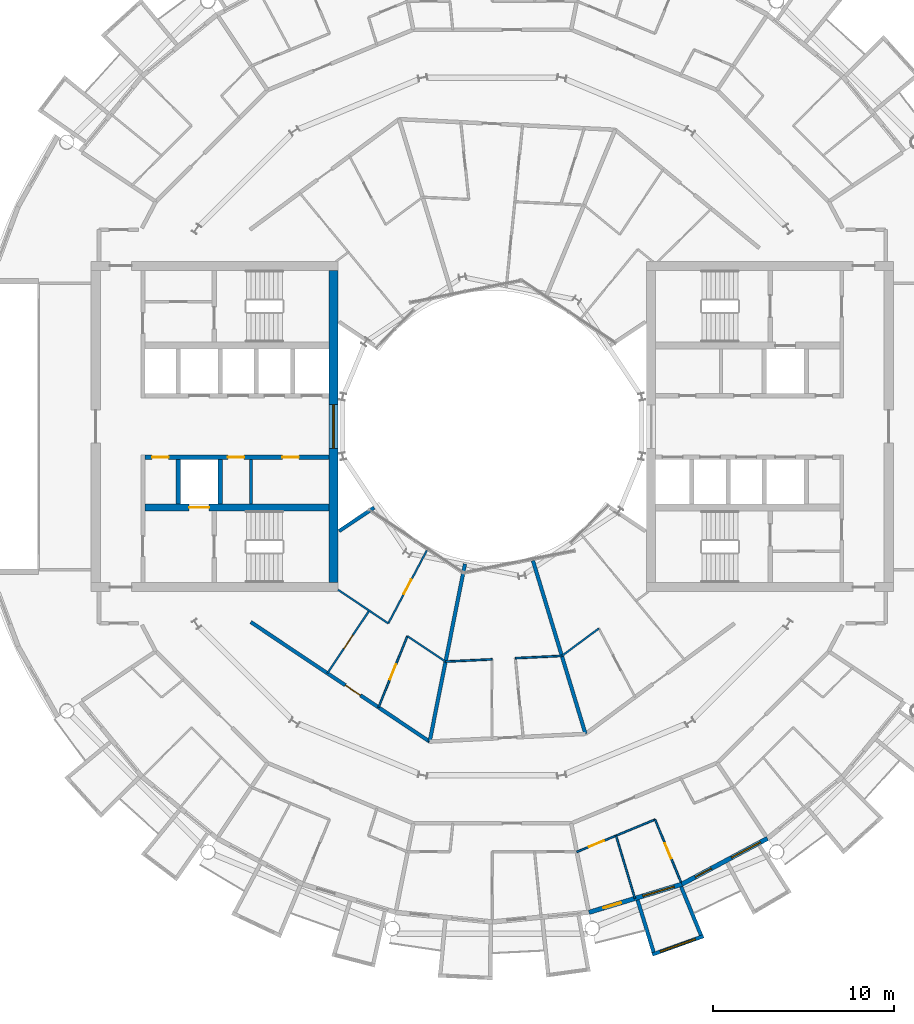
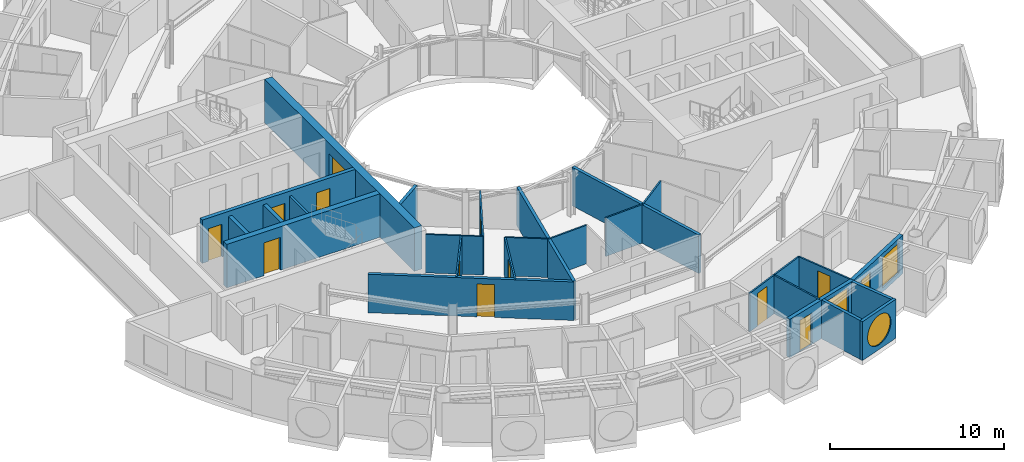
# One storey, part 16 of 27: 26 walls, 12 doors, 4 windows, 16 openings.
"""IFC4 building model written with IfcOpenShell, lengths in metres."""

from ifc_helpers import new_model, si_unit, direction, frame, frame_2d, origin, place, context, subcontext, project, spatial, rectangle, circle, extrude, material, layer, layer_set, type_object, element, fill, save


model = new_model("IFC4")

# Units and contexts
model_context = context("Model", 3, precision=1e-05, world=origin(), true_north=direction((0.0, 1.0)))
body_context = subcontext(model_context, "Body", "Model", "MODEL_VIEW")
ifc_project = project(units=[si_unit("LENGTHUNIT", "METRE"), si_unit("AREAUNIT", "SQUARE_METRE"), si_unit("VOLUMEUNIT", "CUBIC_METRE"), si_unit("PLANEANGLEUNIT", "RADIAN"), si_unit("MASSUNIT", "GRAM", prefix="KILO")], contexts=[model_context])

# Site, building, storey
site_placement = place(None, origin())
site = spatial("IfcSite", under=ifc_project, at=site_placement, CompositionType="ELEMENT")
building_placement = place(site_placement, origin())
building = spatial("IfcBuilding", under=site, at=building_placement, Name="Maasbend Ring Residences", CompositionType="ELEMENT")
storey_placement = place(building_placement, frame((0.0, 0.0, 170.75)))
storey = spatial("IfcBuildingStorey", under=building, at=storey_placement, Name="L49", CompositionType="ELEMENT", Elevation=170.75)

# Wall, openings, doors
ifc_material_1 = material(Name="Concrete C60/75", Category="concrete")
ifc_layer_1 = layer(ifc_material_1, 0.25)
ifc_layer_set_1 = layer_set([ifc_layer_1], Name="Concrete C60/75")
wall_type_1 = type_object("IfcWallType", Name="CORE WALL 250 C60/75", PredefinedType="SHEAR", material=ifc_layer_set_1)
wall_1_placement = place(storey_placement, frame((-9.0, -1.699951171875, 0.0), z_axis=(0.0, 0.0, 1.0), x_axis=(-1.0, 0.0, 0.0)))
wall_1 = element("IfcWall", 1, at=wall_1_placement, inside=storey, type_object=wall_type_1, Name="L49 core W wall SPN", PredefinedType="SHEAR", context=body_context, shape_type="SweptSolid", body=[
    extrude(rectangle(XDim=10.14990234375, YDim=0.25, at=frame_2d((5.074951171875, 0.0))), origin(), (0.0, 0.0, 1.0), 3.050048828125),
])
opening_1_placement = place(wall_1_placement, frame((1.66259765625, 0.0, 0.0)))
opening_1 = element("IfcOpeningElement", 2, at=opening_1_placement, cuts=wall_1, Name="Opening D-W4906", PredefinedType="OPENING", context=body_context, shape_type="SweptSolid", body=[
    extrude(rectangle(XDim=0.89990234375, YDim=2.300048828125, at=frame_2d((0.449951171875, 1.14990234375))), frame((0.0, 0.135009765625, 0.0), z_axis=(0.0, -1.0, 0.0), x_axis=(1.0, 0.0, 0.0)), (0.0, 0.0, 1.0), 0.27001953125),
])
opening_2_placement = place(wall_1_placement, frame((4.675048828125, 0.0, 0.0)))
opening_2 = element("IfcOpeningElement", 3, at=opening_2_placement, cuts=wall_1, Name="Opening D-W4907", PredefinedType="OPENING", context=body_context, shape_type="SweptSolid", body=[
    extrude(rectangle(XDim=0.89990234375, YDim=2.300048828125, at=frame_2d((0.449951171875, 1.14990234375))), frame((0.0, 0.135009765625, 0.0), z_axis=(0.0, -1.0, 0.0), x_axis=(1.0, 0.0, 0.0)), (0.0, 0.0, 1.0), 0.27001953125),
])
opening_3_placement = place(wall_1_placement, frame((8.83740234375, 0.0, 0.0)))
opening_3 = element("IfcOpeningElement", 4, at=opening_3_placement, cuts=wall_1, Name="Opening D-W4908", PredefinedType="OPENING", context=body_context, shape_type="SweptSolid", body=[
    extrude(rectangle(XDim=0.89990234375, YDim=2.300048828125, at=frame_2d((0.449951171875, 1.14990234375))), frame((0.0, 0.135009765625, 0.0), z_axis=(0.0, -1.0, 0.0), x_axis=(1.0, 0.0, 0.0)), (0.0, 0.0, 1.0), 0.27001953125),
])
ifc_material_2 = material(Name="Steel, powder coated", Category="steel")
door_type_1 = type_object("IfcDoorType", Name="ROOM DOOR 900 X 2300 FD30S", OperationType="NOTDEFINED", PredefinedType="DOOR", material=ifc_material_2)
door_1_placement = place(opening_1_placement, origin())
door_1 = element("IfcDoor", 5, at=door_1_placement, inside=storey, type_object=door_type_1, Name="Room door L49", OperationType="SINGLE_SWING_RIGHT", OverallHeight=2.300048828125, OverallWidth=0.89990234375, PredefinedType="DOOR", context=body_context, shape_type="SweptSolid", body=[
    extrude(rectangle(XDim=0.89990234375, YDim=2.300048828125, at=frame_2d((0.449951171875, 1.14990234375))), frame((0.0, 0.02490234375, 0.0), z_axis=(0.0, -1.0, 0.0), x_axis=(1.0, 0.0, 0.0)), (0.0, 0.0, 1.0), 0.050048828125),
])
fill(opening_1, door_1)
door_2_placement = place(opening_2_placement, origin())
door_2 = element("IfcDoor", 6, at=door_2_placement, inside=storey, type_object=door_type_1, Name="Room door L49", OperationType="SINGLE_SWING_LEFT", OverallHeight=2.300048828125, OverallWidth=0.89990234375, PredefinedType="DOOR", context=body_context, shape_type="SweptSolid", body=[
    extrude(rectangle(XDim=0.89990234375, YDim=2.300048828125, at=frame_2d((0.449951171875, 1.14990234375))), frame((0.0, 0.02490234375, 0.0), z_axis=(0.0, -1.0, 0.0), x_axis=(1.0, 0.0, 0.0)), (0.0, 0.0, 1.0), 0.050048828125),
])
fill(opening_2, door_2)
door_3_placement = place(opening_3_placement, origin())
door_3 = element("IfcDoor", 7, at=door_3_placement, inside=storey, type_object=door_type_1, Name="Room door L49", OperationType="SINGLE_SWING_LEFT", OverallHeight=2.300048828125, OverallWidth=0.89990234375, PredefinedType="DOOR", context=body_context, shape_type="SweptSolid", body=[
    extrude(rectangle(XDim=0.89990234375, YDim=2.300048828125, at=frame_2d((0.449951171875, 1.14990234375))), frame((0.0, 0.02490234375, 0.0), z_axis=(0.0, -1.0, 0.0), x_axis=(1.0, 0.0, 0.0)), (0.0, 0.0, 1.0), 0.050048828125),
])
fill(opening_3, door_3)

# Wall, opening, door
ifc_material_3 = material(Name="Concrete C60/75", Category="concrete")
ifc_layer_2 = layer(ifc_material_3, 0.375)
ifc_layer_set_2 = layer_set([ifc_layer_2], Name="Concrete C60/75")
wall_type_2 = type_object("IfcWallType", Name="CORE WALL 375 C60/75", PredefinedType="SHEAR", material=ifc_layer_set_2)
wall_2_placement = place(storey_placement, frame((-9.0, -4.46240234375, 0.0), z_axis=(0.0, 0.0, 1.0), x_axis=(-1.0, 0.0, 0.0)))
wall_2 = element("IfcWall", 8, at=wall_2_placement, inside=storey, type_object=wall_type_2, Name="L49 core W wall BN", PredefinedType="SHEAR", context=body_context, shape_type="SweptSolid", body=[
    extrude(rectangle(XDim=10.14990234375, YDim=0.375, at=frame_2d((5.074951171875, 0.0))), origin(), (0.0, 0.0, 1.0), 3.050048828125),
])
opening_4_placement = place(wall_2_placement, frame((6.60009765625, 0.0, 0.0)))
opening_4 = element("IfcOpeningElement", 9, at=opening_4_placement, cuts=wall_2, Name="Opening LD-W4901", PredefinedType="OPENING", context=body_context, shape_type="SweptSolid", body=[
    extrude(rectangle(XDim=1.10009765625, YDim=2.300048828125, at=frame_2d((0.550048828125, 1.14990234375))), frame((0.0, 0.197509765625, 0.0), z_axis=(0.0, -1.0, 0.0), x_axis=(1.0, 0.0, 0.0)), (0.0, 0.0, 1.0), 0.39501953125),
])
ifc_material_4 = material(Name="Stainless steel 316", Category="steel")
door_type_2 = type_object("IfcDoorType", Name="LANDING DOOR 1100 X 2300 FD60", OperationType="DOUBLE_DOOR_SLIDING", PredefinedType="DOOR", material=ifc_material_4)
door_4_placement = place(opening_4_placement, origin())
door_4 = element("IfcDoor", 10, at=door_4_placement, inside=storey, type_object=door_type_2, Name="Landing door FF-W L49", OperationType="DOUBLE_DOOR_SLIDING", OverallHeight=2.300048828125, OverallWidth=1.10009765625, PredefinedType="DOOR", context=body_context, shape_type="SweptSolid", body=[
    extrude(rectangle(XDim=1.10009765625, YDim=2.300048828125, at=frame_2d((0.550048828125, 1.14990234375))), frame((0.0, 0.02490234375, 0.0), z_axis=(0.0, -1.0, 0.0), x_axis=(1.0, 0.0, 0.0)), (0.0, 0.0, 1.0), 0.050048828125),
])
fill(opening_4, door_4)

# Wall, opening, window
ifc_material_5 = material(Name="Concrete C60/75", Category="concrete")
ifc_layer_3 = layer(ifc_material_5, 0.5)
ifc_layer_set_3 = layer_set([ifc_layer_3], Name="Concrete C60/75")
wall_type_3 = type_object("IfcWallType", Name="CORE WALL 500 C60/75", PredefinedType="SHEAR", material=ifc_layer_set_3)
wall_3_placement = place(storey_placement, frame((-8.75, 8.60009765625, 0.0), z_axis=(0.0, 0.0, 1.0), x_axis=(0.0, -1.0, 0.0)))
wall_3 = element("IfcWall", 11, at=wall_3_placement, inside=storey, type_object=wall_type_3, Name="L49 core W wall PIN", PredefinedType="SHEAR", context=body_context, shape_type="SweptSolid", body=[
    extrude(rectangle(XDim=17.2001953125, YDim=0.5, at=frame_2d((8.60009765625, 0.0))), origin(), (0.0, 0.0, 1.0), 3.050048828125),
])
opening_5_placement = place(wall_3_placement, frame((7.39990234375, 0.0, 0.10009765625)))
opening_5 = element("IfcOpeningElement", 12, at=opening_5_placement, cuts=wall_3, Name="Opening W-W4901", PredefinedType="OPENING", context=body_context, shape_type="SweptSolid", body=[
    extrude(rectangle(XDim=2.39990234375, YDim=2.199951171875, at=frame_2d((1.199951171875, 1.10009765625))), frame((0.0, 0.260009765625, 0.0), z_axis=(0.0, -1.0, 0.0), x_axis=(1.0, 0.0, 0.0)), (0.0, 0.0, 1.0), 0.52001953125),
])
ifc_material_6 = material(Name="Aluminium frame and clear glass", Category="aluminium")
window_type_1 = type_object("IfcWindowType", Name="FIXED WINDOW 2400 X 2200", PartitioningType="SINGLE_PANEL", PredefinedType="WINDOW", material=ifc_material_6)
window_1_placement = place(opening_5_placement, origin())
window_1 = element("IfcWindow", 13, at=window_1_placement, inside=storey, type_object=window_type_1, Name="Lobby window L49", OverallHeight=2.199951171875, OverallWidth=2.39990234375, PartitioningType="SINGLE_PANEL", PredefinedType="WINDOW", context=body_context, shape_type="SweptSolid", body=[
    extrude(rectangle(XDim=2.39990234375, YDim=2.199951171875, at=frame_2d((1.199951171875, 1.10009765625))), frame((0.0, 0.030029296875, 0.0), z_axis=(0.0, -1.0, 0.0), x_axis=(1.0, 0.0, 0.0)), (0.0, 0.0, 1.0), 0.06005859375),
])
fill(opening_5, window_1)

# Wall, opening, door
ifc_material_7 = material(Name="Concrete C30/37", Category="concrete")
ifc_layer_4 = layer(ifc_material_7, 0.199951171875)
ifc_layer_set_4 = layer_set([ifc_layer_4], Name="Concrete C30/37")
wall_type_4 = type_object("IfcWallType", Name="CORRIDOR WALL 200 CONCRETE", PredefinedType="PARTITIONING", material=ifc_layer_set_4)
wall_4_placement = place(storey_placement, frame((-13.30908203125, -10.77490234375, 0.0), z_axis=(0.0, 0.0, 1.0), x_axis=(0.831501812692, -0.555522038708, 0.0)))
wall_4 = element("IfcWall", 14, at=wall_4_placement, inside=storey, type_object=wall_type_4, Name="U-L49-w022", PredefinedType="PARTITIONING", context=body_context, shape_type="SweptSolid", body=[
    extrude(rectangle(XDim=11.85595703125, YDim=0.199951171875, at=frame_2d((5.927978515625, 0.0))), origin(), (0.0, 0.0, 1.0), 2.699951171875),
])
opening_6_placement = place(wall_4_placement, frame((6.27197265625, 0.0, 0.0)))
opening_6 = element("IfcOpeningElement", 15, at=opening_6_placement, cuts=wall_4, Name="Opening D-4954", PredefinedType="OPENING", context=body_context, shape_type="SweptSolid", body=[
    extrude(rectangle(XDim=1.0, YDim=2.300048828125, at=frame_2d((0.5, 1.14990234375))), frame((0.0, 0.10986328125, 0.0), z_axis=(0.0, -1.0, 0.0), x_axis=(1.0, 0.0, 0.0)), (0.0, 0.0, 1.0), 0.219970703125),
])
ifc_material_8 = material(Name="Timber, fire-rated, painted", Category="wood")
door_type_3 = type_object("IfcDoorType", Name="FLAT ENTRANCE DOOR 1000 X 2300 FIRE-RATED", OperationType="NOTDEFINED", PredefinedType="DOOR", material=ifc_material_8)
door_5_placement = place(opening_6_placement, origin())
door_5 = element("IfcDoor", 16, at=door_5_placement, inside=storey, type_object=door_type_3, Name="D-4954", OperationType="SINGLE_SWING_RIGHT", OverallHeight=2.300048828125, OverallWidth=1.0, PredefinedType="DOOR", context=body_context, shape_type="SweptSolid", body=[
    extrude(rectangle(XDim=1.0, YDim=2.300048828125, at=frame_2d((0.5, 1.14990234375))), frame((0.0, 0.02490234375, 0.0), z_axis=(0.0, -1.0, 0.0), x_axis=(1.0, 0.0, 0.0)), (0.0, 0.0, 1.0), 0.050048828125),
])
fill(opening_6, door_5)

# Wall, opening, window
ifc_material_9 = material(Name="Pale anodised aluminium panel", Category="aluminium")
ifc_layer_5 = layer(ifc_material_9, 0.199951171875)
ifc_layer_set_5 = layer_set([ifc_layer_5], Name="EW-BOX")
wall_type_5 = type_object("IfcWallType", Name="EW-BOX", PredefinedType="SOLIDWALL", material=ifc_layer_set_5)
wall_5_placement = place(storey_placement, frame((8.820068359375, -29.093017578125, -0.030029296875), z_axis=(0.0, 0.0, 1.0), x_axis=(0.941461077774, 0.337121697664, 0.0)))
wall_5 = element("IfcWall", 17, at=wall_5_placement, inside=storey, type_object=wall_type_5, Name="Box front S14", PredefinedType="SOLIDWALL", context=body_context, shape_type="SweptSolid", body=[
    extrude(rectangle(XDim=2.9931640625, YDim=0.199951171875, at=frame_2d((1.49658203125, 0.0))), origin(), (0.0, 0.0, 1.0), 2.72998046875),
])
opening_7_placement = place(wall_5_placement, frame((0.45654296875, 0.0, 0.330078125)))
opening_7 = element("IfcOpeningElement", 18, at=opening_7_placement, cuts=wall_5, Name="Opening W-RD", PredefinedType="OPENING", context=body_context, shape_type="SweptSolid", body=[
    extrude(circle(Radius=1.0400390625, at=frame_2d((1.0400390625, 1.0400390625))), frame((0.0, 0.10986328125, 0.0), z_axis=(0.0, -1.0, 0.0), x_axis=(1.0, 0.0, 0.0)), (0.0, 0.0, 1.0), 0.219970703125),
])
ifc_material_10 = material(Name="Aluminium and clear glass", Category="aluminium")
window_type_2 = type_object("IfcWindowType", Name="W-RD", PartitioningType="SINGLE_PANEL", PredefinedType="WINDOW", material=ifc_material_10)
window_2_placement = place(opening_7_placement, origin())
window_2 = element("IfcWindow", 19, at=window_2_placement, inside=storey, type_object=window_type_2, Name="Round window S14", OverallHeight=2.080078125, OverallWidth=2.080078125, PartitioningType="SINGLE_PANEL", PredefinedType="WINDOW", context=body_context, shape_type="SweptSolid", body=[
    extrude(circle(Radius=1.0400390625, at=frame_2d((1.0400390625, 1.0400390625))), frame((0.0, 0.030029296875, 0.0), z_axis=(0.0, -1.0, 0.0), x_axis=(1.0, 0.0, 0.0)), (0.0, 0.0, 1.0), 0.06005859375),
])
fill(opening_7, window_2)

# Walls
wall_6_placement = place(storey_placement, frame((8.009033203125, -26.092041015625, -0.030029296875), z_axis=(0.0, 0.0, 1.0), x_axis=(0.293406695073, -0.955987715029, 0.0)))
element("IfcWall", 20, at=wall_6_placement, inside=storey, type_object=wall_type_5, Name="Box side wall S14 left", PredefinedType="SOLIDWALL", context=body_context, shape_type="SweptSolid", body=[
    extrude(rectangle(XDim=3.00634765625, YDim=0.199951171875, at=frame_2d((1.503173828125, 0.0))), origin(), (0.0, 0.0, 1.0), 2.72998046875),
])
wall_7_placement = place(storey_placement, frame((10.408935546875, -25.364013671875, -0.030029296875), z_axis=(0.0, 0.0, 1.0), x_axis=(0.379509886562, -0.925187681501, 0.0)))
element("IfcWall", 21, at=wall_7_placement, inside=storey, type_object=wall_type_5, Name="Box side wall S14 right", PredefinedType="SOLIDWALL", context=body_context, shape_type="SweptSolid", body=[
    extrude(rectangle(XDim=2.882568359375, YDim=0.199951171875, at=frame_2d((1.44140625, 0.0))), origin(), (0.0, 0.0, 1.0), 2.72998046875),
])

# Wall, openings, door, window
ifc_material_11 = material(Name="Aluminium clad insulated panel", Category="aluminium")
ifc_layer_6 = layer(ifc_material_11, 0.25)
ifc_layer_set_6 = layer_set([ifc_layer_6], Name="EW-GL")
wall_type_6 = type_object("IfcWallType", Name="EW-GL", PredefinedType="SOLIDWALL", material=ifc_layer_set_6)
wall_8_placement = place(storey_placement, frame((5.325927734375, -26.77490234375, 0.0), z_axis=(0.0, 0.0, 1.0), x_axis=(0.956965678721, 0.290201119486, 0.0)))
wall_8 = element("IfcWall", 22, at=wall_8_placement, inside=storey, type_object=wall_type_6, Name="External wall S07", PredefinedType="SOLIDWALL", context=body_context, shape_type="SweptSolid", body=[
    extrude(rectangle(XDim=5.351318359375, YDim=0.25, at=frame_2d((2.67578125, 0.0))), origin(), (0.0, 0.0, 1.0), 2.699951171875),
])
opening_8_placement = place(wall_8_placement, frame((0.841064453125, 0.0, 0.0)))
opening_8 = element("IfcOpeningElement", 23, at=opening_8_placement, cuts=wall_8, Name="Opening D-LG", PredefinedType="OPENING", context=body_context, shape_type="SweptSolid", body=[
    extrude(rectangle(XDim=1.0, YDim=2.199951171875, at=frame_2d((0.5, 1.10009765625))), frame((0.0, 0.135009765625, 0.0), z_axis=(0.0, -1.0, 0.0), x_axis=(1.0, 0.0, 0.0)), (0.0, 0.0, 1.0), 0.27001953125),
])
opening_9_placement = place(wall_8_placement, frame((3.110595703125, 0.0, 0.300048828125)))
opening_9 = element("IfcOpeningElement", 24, at=opening_9_placement, cuts=wall_8, Name="Opening W-BX", PredefinedType="OPENING", context=body_context, shape_type="SweptSolid", body=[
    extrude(rectangle(XDim=1.800048828125, YDim=2.10009765625, at=frame_2d((0.89990234375, 1.050048828125))), frame((0.0, 0.135009765625, 0.0), z_axis=(0.0, -1.0, 0.0), x_axis=(1.0, 0.0, 0.0)), (0.0, 0.0, 1.0), 0.27001953125),
])
ifc_material_12 = material(Name="Aluminium and clear glass", Category="aluminium")
door_type_4 = type_object("IfcDoorType", Name="D-LG", OperationType="SINGLE_SWING_LEFT", PredefinedType="DOOR", material=ifc_material_12)
door_6_placement = place(opening_8_placement, origin())
door_6 = element("IfcDoor", 25, at=door_6_placement, inside=storey, type_object=door_type_4, Name="Loggia door S13", OperationType="SINGLE_SWING_LEFT", OverallHeight=2.199951171875, OverallWidth=1.0, PredefinedType="DOOR", context=body_context, shape_type="SweptSolid", body=[
    extrude(rectangle(XDim=1.0, YDim=2.199951171875, at=frame_2d((0.5, 1.10009765625))), frame((0.0, 0.02490234375, 0.0), z_axis=(0.0, -1.0, 0.0), x_axis=(1.0, 0.0, 0.0)), (0.0, 0.0, 1.0), 0.050048828125),
])
fill(opening_8, door_6)
ifc_material_13 = material(Name="Aluminium and clear glass", Category="aluminium")
window_type_3 = type_object("IfcWindowType", Name="W-BX", PartitioningType="DOUBLE_PANEL_VERTICAL", PredefinedType="WINDOW", material=ifc_material_13)
window_3_placement = place(opening_9_placement, origin())
window_3 = element("IfcWindow", 26, at=window_3_placement, inside=storey, type_object=window_type_3, Name="Window S14 room to box", OverallHeight=2.10009765625, OverallWidth=1.800048828125, PartitioningType="SINGLE_PANEL", PredefinedType="WINDOW", context=body_context, shape_type="SweptSolid", body=[
    extrude(rectangle(XDim=1.800048828125, YDim=2.10009765625, at=frame_2d((0.89990234375, 1.050048828125))), frame((0.0, 0.030029296875, 0.0), z_axis=(0.0, -1.0, 0.0), x_axis=(1.0, 0.0, 0.0)), (0.0, 0.0, 1.0), 0.06005859375),
])
fill(opening_9, window_3)

wall_9_placement = place(storey_placement, frame((10.447021484375, -25.221923828125, 0.0), z_axis=(0.0, 0.0, 1.0), x_axis=(0.881915646801, 0.471407246368, 0.0)))
wall_9 = element("IfcWall", 27, at=wall_9_placement, inside=storey, type_object=wall_type_6, Name="External wall S08", PredefinedType="SOLIDWALL", context=body_context, shape_type="SweptSolid", body=[
    extrude(rectangle(XDim=5.35205078125, YDim=0.25, at=frame_2d((2.676025390625, 0.0))), origin(), (0.0, 0.0, 1.0), 2.699951171875),
])
opening_10_placement = place(wall_9_placement, frame((0.841064453125, 0.0, 0.0)))
opening_10 = element("IfcOpeningElement", 28, at=opening_10_placement, cuts=wall_9, Name="Opening D-LG", PredefinedType="OPENING", context=body_context, shape_type="SweptSolid", body=[
    extrude(rectangle(XDim=1.0, YDim=2.199951171875, at=frame_2d((0.5, 1.10009765625))), frame((0.0, 0.135009765625, 0.0), z_axis=(0.0, -1.0, 0.0), x_axis=(1.0, 0.0, 0.0)), (0.0, 0.0, 1.0), 0.27001953125),
])
opening_11_placement = place(wall_9_placement, frame((3.110595703125, 0.0, 0.300048828125)))
opening_11 = element("IfcOpeningElement", 29, at=opening_11_placement, cuts=wall_9, Name="Opening W-BX", PredefinedType="OPENING", context=body_context, shape_type="SweptSolid", body=[
    extrude(rectangle(XDim=1.800048828125, YDim=2.10009765625, at=frame_2d((0.89990234375, 1.050048828125))), frame((0.0, 0.135009765625, 0.0), z_axis=(0.0, -1.0, 0.0), x_axis=(1.0, 0.0, 0.0)), (0.0, 0.0, 1.0), 0.27001953125),
])
door_7_placement = place(opening_10_placement, origin())
door_7 = element("IfcDoor", 30, at=door_7_placement, inside=storey, type_object=door_type_4, Name="Loggia door S15", OperationType="SINGLE_SWING_LEFT", OverallHeight=2.199951171875, OverallWidth=1.0, PredefinedType="DOOR", context=body_context, shape_type="SweptSolid", body=[
    extrude(rectangle(XDim=1.0, YDim=2.199951171875, at=frame_2d((0.5, 1.10009765625))), frame((0.0, 0.02490234375, 0.0), z_axis=(0.0, -1.0, 0.0), x_axis=(1.0, 0.0, 0.0)), (0.0, 0.0, 1.0), 0.050048828125),
])
fill(opening_10, door_7)
window_4_placement = place(opening_11_placement, origin())
window_4 = element("IfcWindow", 31, at=window_4_placement, inside=storey, type_object=window_type_3, Name="Window S16 room to box", OverallHeight=2.10009765625, OverallWidth=1.800048828125, PartitioningType="SINGLE_PANEL", PredefinedType="WINDOW", context=body_context, shape_type="SweptSolid", body=[
    extrude(rectangle(XDim=1.800048828125, YDim=2.10009765625, at=frame_2d((0.89990234375, 1.050048828125))), frame((0.0, 0.030029296875, 0.0), z_axis=(0.0, -1.0, 0.0), x_axis=(1.0, 0.0, 0.0)), (0.0, 0.0, 1.0), 0.06005859375),
])
fill(opening_11, window_4)

# Wall, opening, door
ifc_material_14 = material(Name="Gypsum board on steel studs", Category="steel")
ifc_layer_7 = layer(ifc_material_14, 0.10009765625)
ifc_layer_set_7 = layer_set([ifc_layer_7], Name="PARTITION 100 GYPSUM")
wall_type_7 = type_object("IfcWallType", Name="PARTITION 100 GYPSUM", PredefinedType="PARTITIONING", material=ifc_layer_set_7)
wall_10_placement = place(storey_placement, frame((4.656005859375, -23.44189453125, 0.0), z_axis=(0.0, 0.0, 1.0), x_axis=(0.923994503548, 0.382405749712, 0.0)))
wall_10 = element("IfcWall", 32, at=wall_10_placement, inside=storey, type_object=wall_type_7, Name="U-L49-w007", PredefinedType="PARTITIONING", context=body_context, shape_type="SweptSolid", body=[
    extrude(rectangle(XDim=4.66259765625, YDim=0.10009765625, at=frame_2d((2.331298828125, 0.0))), origin(), (0.0, 0.0, 1.0), 2.699951171875),
])
opening_12_placement = place(wall_10_placement, frame((0.72607421875, 0.0, 0.0)))
opening_12 = element("IfcOpeningElement", 33, at=opening_12_placement, cuts=wall_10, Name="Opening D-4949", PredefinedType="OPENING", context=body_context, shape_type="SweptSolid", body=[
    extrude(rectangle(XDim=0.89990234375, YDim=2.300048828125, at=frame_2d((0.449951171875, 1.14990234375))), frame((0.0, 0.06005859375, 0.0), z_axis=(0.0, -1.0, 0.0), x_axis=(1.0, 0.0, 0.0)), (0.0, 0.0, 1.0), 0.1201171875),
])
ifc_material_15 = material(Name="Timber, painted", Category="wood")
door_type_5 = type_object("IfcDoorType", Name="INTERNAL DOOR 900 X 2300", OperationType="NOTDEFINED", PredefinedType="DOOR", material=ifc_material_15)
door_8_placement = place(opening_12_placement, origin())
door_8 = element("IfcDoor", 34, at=door_8_placement, inside=storey, type_object=door_type_5, Name="D-4949", OperationType="SINGLE_SWING_LEFT", OverallHeight=2.300048828125, OverallWidth=0.89990234375, PredefinedType="DOOR", context=body_context, shape_type="SweptSolid", body=[
    extrude(rectangle(XDim=0.89990234375, YDim=2.300048828125, at=frame_2d((0.449951171875, 1.14990234375))), frame((0.0, 0.02490234375, 0.0), z_axis=(0.0, -1.0, 0.0), x_axis=(1.0, 0.0, 0.0)), (0.0, 0.0, 1.0), 0.050048828125),
])
fill(opening_12, door_8)

# Walls
wall_11_placement = place(storey_placement, frame((-2.576904296875, -12.955078125, 0.0), z_axis=(0.0, 0.0, 1.0), x_axis=(0.998796046378, 0.049055659616, 0.0)))
element("IfcWall", 35, at=wall_11_placement, inside=storey, type_object=wall_type_7, Name="U-L49-w023", PredefinedType="PARTITIONING", context=body_context, shape_type="SweptSolid", body=[
    extrude(rectangle(XDim=2.568115234375, YDim=0.10009765625, at=frame_2d((1.2841796875, 0.0))), origin(), (0.0, 0.0, 1.0), 2.699951171875),
])
wall_12_placement = place(storey_placement, frame((1.27001953125, -12.76611328125, 0.0), z_axis=(0.0, 0.0, 1.0), x_axis=(0.998790464653, 0.049169174464, 0.0)))
element("IfcWall", 36, at=wall_12_placement, inside=storey, type_object=wall_type_7, Name="U-L49-w024", PredefinedType="PARTITIONING", context=body_context, shape_type="SweptSolid", body=[
    extrude(rectangle(XDim=2.567138671875, YDim=0.10009765625, at=frame_2d((1.28369140625, 0.0))), origin(), (0.0, 0.0, 1.0), 2.699951171875),
])
wall_13_placement = place(storey_placement, frame((3.8349609375, -12.639892578125, 0.0), z_axis=(0.0, 0.0, 1.0), x_axis=(0.803259509791, 0.595629213463, 0.0)))
element("IfcWall", 37, at=wall_13_placement, inside=storey, type_object=wall_type_7, Name="U-L49-w025", PredefinedType="PARTITIONING", context=body_context, shape_type="SweptSolid", body=[
    extrude(rectangle(XDim=2.54345703125, YDim=0.10009765625, at=frame_2d((1.271728515625, 0.0))), origin(), (0.0, 0.0, 1.0), 2.699951171875),
])
wall_14_placement = place(storey_placement, frame((-8.5, -8.998046875, 0.0), z_axis=(0.0, 0.0, 1.0), x_axis=(0.831531456502, -0.55547766548, 0.0)))
element("IfcWall", 38, at=wall_14_placement, inside=storey, type_object=wall_type_7, Name="U-L49-w027", PredefinedType="PARTITIONING", context=body_context, shape_type="SweptSolid", body=[
    extrude(rectangle(XDim=3.33251953125, YDim=0.10009765625, at=frame_2d((1.666259765625, 0.0))), origin(), (0.0, 0.0, 1.0), 2.699951171875),
])
wall_15_placement = place(storey_placement, frame((-4.677001953125, -11.552001953125, 0.0), z_axis=(0.0, 0.0, 1.0), x_axis=(0.83155963659, -0.555435478517, 0.0)))
element("IfcWall", 39, at=wall_15_placement, inside=storey, type_object=wall_type_7, Name="U-L49-w028", PredefinedType="PARTITIONING", context=body_context, shape_type="SweptSolid", body=[
    extrude(rectangle(XDim=2.52783203125, YDim=0.10009765625, at=frame_2d((1.263916015625, 0.0))), origin(), (0.0, 0.0, 1.0), 2.699951171875),
])

# Wall, opening, door
wall_16_placement = place(storey_placement, frame((-9.0849609375, -13.596923828125, 0.0), z_axis=(0.0, 0.0, 1.0), x_axis=(0.555528237031, 0.831497671591, 0.0)))
wall_16 = element("IfcWall", 40, at=wall_16_placement, inside=storey, type_object=wall_type_7, Name="U-L49-w050", PredefinedType="PARTITIONING", context=body_context, shape_type="SweptSolid", body=[
    extrude(rectangle(XDim=4.149169921875, YDim=0.10009765625, at=frame_2d((2.07470703125, 0.0))), origin(), (0.0, 0.0, 1.0), 2.699951171875),
])
opening_13_placement = place(wall_16_placement, frame((1.625, 0.0, 0.0)))
opening_13 = element("IfcOpeningElement", 41, at=opening_13_placement, cuts=wall_16, Name="Opening D-4956", PredefinedType="OPENING", context=body_context, shape_type="SweptSolid", body=[
    extrude(rectangle(XDim=0.89990234375, YDim=2.300048828125, at=frame_2d((0.449951171875, 1.14990234375))), frame((0.0, 0.06005859375, 0.0), z_axis=(0.0, -1.0, 0.0), x_axis=(1.0, 0.0, 0.0)), (0.0, 0.0, 1.0), 0.1201171875),
])
door_9_placement = place(opening_13_placement, origin())
door_9 = element("IfcDoor", 42, at=door_9_placement, inside=storey, type_object=door_type_5, Name="D-4956", OperationType="SINGLE_SWING_LEFT", OverallHeight=2.300048828125, OverallWidth=0.89990234375, PredefinedType="DOOR", context=body_context, shape_type="SweptSolid", body=[
    extrude(rectangle(XDim=0.89990234375, YDim=2.300048828125, at=frame_2d((0.449951171875, 1.14990234375))), frame((0.0, 0.02490234375, 0.0), z_axis=(0.0, -1.0, 0.0), x_axis=(1.0, 0.0, 0.0)), (0.0, 0.0, 1.0), 0.050048828125),
])
fill(opening_13, door_9)

wall_17_placement = place(storey_placement, frame((-6.26904296875, -15.47802734375, 0.0), z_axis=(0.0, 0.0, 1.0), x_axis=(0.375509828455, 0.926818411952, 0.0)))
wall_17 = element("IfcWall", 43, at=wall_17_placement, inside=storey, type_object=wall_type_7, Name="U-L49-w053", PredefinedType="PARTITIONING", context=body_context, shape_type="SweptSolid", body=[
    extrude(rectangle(XDim=4.237060546875, YDim=0.10009765625, at=frame_2d((2.11865234375, 0.0))), origin(), (0.0, 0.0, 1.0), 2.699951171875),
])
opening_14_placement = place(wall_17_placement, frame((1.6689453125, 0.0, 0.0)))
opening_14 = element("IfcOpeningElement", 44, at=opening_14_placement, cuts=wall_17, Name="Opening D-4955", PredefinedType="OPENING", context=body_context, shape_type="SweptSolid", body=[
    extrude(rectangle(XDim=0.89990234375, YDim=2.300048828125, at=frame_2d((0.449951171875, 1.14990234375))), frame((0.0, 0.06005859375, 0.0), z_axis=(0.0, -1.0, 0.0), x_axis=(1.0, 0.0, 0.0)), (0.0, 0.0, 1.0), 0.1201171875),
])
door_10_placement = place(opening_14_placement, origin())
door_10 = element("IfcDoor", 45, at=door_10_placement, inside=storey, type_object=door_type_5, Name="D-4955", OperationType="SINGLE_SWING_LEFT", OverallHeight=2.300048828125, OverallWidth=0.89990234375, PredefinedType="DOOR", context=body_context, shape_type="SweptSolid", body=[
    extrude(rectangle(XDim=0.89990234375, YDim=2.300048828125, at=frame_2d((0.449951171875, 1.14990234375))), frame((0.0, 0.02490234375, 0.0), z_axis=(0.0, -1.0, 0.0), x_axis=(1.0, 0.0, 0.0)), (0.0, 0.0, 1.0), 0.050048828125),
])
fill(opening_14, door_10)

wall_18_placement = place(storey_placement, frame((-5.72900390625, -10.84912109375, 0.0), z_axis=(0.0, 0.0, 1.0), x_axis=(0.466962677975, 0.884277025246, 0.0)))
wall_18 = element("IfcWall", 46, at=wall_18_placement, inside=storey, type_object=wall_type_7, Name="U-L49-w054", PredefinedType="PARTITIONING", context=body_context, shape_type="SweptSolid", body=[
    extrude(rectangle(XDim=4.548583984375, YDim=0.10009765625, at=frame_2d((2.2744140625, 0.0))), origin(), (0.0, 0.0, 1.0), 2.699951171875),
])
opening_15_placement = place(wall_18_placement, frame((1.823974609375, 0.0, 0.0)))
opening_15 = element("IfcOpeningElement", 47, at=opening_15_placement, cuts=wall_18, Name="Opening D-4957", PredefinedType="OPENING", context=body_context, shape_type="SweptSolid", body=[
    extrude(rectangle(XDim=0.89990234375, YDim=2.300048828125, at=frame_2d((0.449951171875, 1.14990234375))), frame((0.0, 0.06005859375, 0.0), z_axis=(0.0, -1.0, 0.0), x_axis=(1.0, 0.0, 0.0)), (0.0, 0.0, 1.0), 0.1201171875),
])
door_11_placement = place(opening_15_placement, origin())
door_11 = element("IfcDoor", 48, at=door_11_placement, inside=storey, type_object=door_type_5, Name="D-4957", OperationType="SINGLE_SWING_RIGHT", OverallHeight=2.300048828125, OverallWidth=0.89990234375, PredefinedType="DOOR", context=body_context, shape_type="SweptSolid", body=[
    extrude(rectangle(XDim=0.89990234375, YDim=2.300048828125, at=frame_2d((0.449951171875, 1.14990234375))), frame((0.0, 0.02490234375, 0.0), z_axis=(0.0, -1.0, 0.0), x_axis=(1.0, 0.0, 0.0)), (0.0, 0.0, 1.0), 0.050048828125),
])
fill(opening_15, door_11)

# Wall
wall_19_placement = place(storey_placement, frame((6.81689453125, -22.549072265625, 0.0), z_axis=(0.0, 0.0, 1.0), x_axis=(0.289439829793, -0.957196210256, 0.0)))
element("IfcWall", 49, at=wall_19_placement, inside=storey, type_object=wall_type_7, Name="U-L49-w077", PredefinedType="PARTITIONING", context=body_context, shape_type="SweptSolid", body=[
    extrude(rectangle(XDim=3.61767578125, YDim=0.10009765625, at=frame_2d((1.808837890625, 0.0))), origin(), (0.0, 0.0, 1.0), 2.699951171875),
])

# Wall, opening, door
wall_20_placement = place(storey_placement, frame((8.969970703125, -21.656005859375, 0.0), z_axis=(0.0, 0.0, 1.0), x_axis=(0.382669377748, -0.923885353999, 0.0)))
wall_20 = element("IfcWall", 50, at=wall_20_placement, inside=storey, type_object=wall_type_7, Name="U-L49-w080", PredefinedType="PARTITIONING", context=body_context, shape_type="SweptSolid", body=[
    extrude(rectangle(XDim=3.734130859375, YDim=0.10009765625, at=frame_2d((1.8671875, 0.0))), origin(), (0.0, 0.0, 1.0), 2.699951171875),
])
opening_16_placement = place(wall_20_placement, frame((1.4169921875, 0.0, 0.0)))
opening_16 = element("IfcOpeningElement", 51, at=opening_16_placement, cuts=wall_20, Name="Opening D-4948", PredefinedType="OPENING", context=body_context, shape_type="SweptSolid", body=[
    extrude(rectangle(XDim=0.89990234375, YDim=2.300048828125, at=frame_2d((0.449951171875, 1.14990234375))), frame((0.0, 0.06005859375, 0.0), z_axis=(0.0, -1.0, 0.0), x_axis=(1.0, 0.0, 0.0)), (0.0, 0.0, 1.0), 0.1201171875),
])
door_12_placement = place(opening_16_placement, origin())
door_12 = element("IfcDoor", 52, at=door_12_placement, inside=storey, type_object=door_type_5, Name="D-4948", OperationType="SINGLE_SWING_RIGHT", OverallHeight=2.300048828125, OverallWidth=0.89990234375, PredefinedType="DOOR", context=body_context, shape_type="SweptSolid", body=[
    extrude(rectangle(XDim=0.89990234375, YDim=2.300048828125, at=frame_2d((0.449951171875, 1.14990234375))), frame((0.0, 0.02490234375, 0.0), z_axis=(0.0, -1.0, 0.0), x_axis=(1.0, 0.0, 0.0)), (0.0, 0.0, 1.0), 0.050048828125),
])
fill(opening_16, door_12)

# Walls
ifc_material_16 = material(Name="Gypsum board on steel studs", Category="steel")
ifc_layer_8 = layer(ifc_material_16, 0.14990234375)
ifc_layer_set_8 = layer_set([ifc_layer_8], Name="PARTITION 150 EI 60")
wall_type_8 = type_object("IfcWallType", Name="PARTITION 150 EI 60", PredefinedType="PARTITIONING", material=ifc_layer_set_8)
wall_21_placement = place(storey_placement, frame((-13.300048828125, -1.824951171875, 0.0), z_axis=(0.0, 0.0, 1.0), x_axis=(0.0, -1.0, 0.0)))
element("IfcWall", 53, at=wall_21_placement, inside=storey, type_object=wall_type_8, Name="L49 core W wall PRN1330", PredefinedType="PARTITIONING", context=body_context, shape_type="SweptSolid", body=[
    extrude(rectangle(XDim=2.449951171875, YDim=0.14990234375, at=frame_2d((1.22509765625, 0.0))), origin(), (0.0, 0.0, 1.0), 2.699951171875),
])
ifc_material_17 = material(Name="Concrete C30/37", Category="concrete")
ifc_layer_9 = layer(ifc_material_17, 0.199951171875)
ifc_layer_set_9 = layer_set([ifc_layer_9], Name="Concrete C30/37")
wall_type_9 = type_object("IfcWallType", Name="PARTY WALL 200 CONCRETE", PredefinedType="PARTITIONING", material=ifc_layer_set_9)
wall_22_placement = place(storey_placement, frame((-6.512939453125, -4.471923828125, 0.0), z_axis=(0.0, 0.0, 1.0), x_axis=(-0.83133816625, -0.555766905579, 0.0)))
element("IfcWall", 54, at=wall_22_placement, inside=storey, type_object=wall_type_9, Name="U-L49-w031", PredefinedType="PARTITIONING", context=body_context, shape_type="SweptSolid", body=[
    extrude(rectangle(XDim=2.322998046875, YDim=0.199951171875, at=frame_2d((1.16162109375, 0.0))), origin(), (0.0, 0.0, 1.0), 2.699951171875),
])
for number, where, z_axis, x_axis, name in (
    (55, (-3.449951171875, -17.360107421875, 0.0), (0.0, 0.0, 1.0), (0.195001023206, 0.980803038815, 0.0), "U-L49-w058"),
    (56, (2.240966796875, -7.387939453125, 0.0), (0.0, 0.0, 1.0), (0.290284403441, -0.956940418793, 0.0), "U-L49-w067"),
):
    element("IfcWall", number, at=place(storey_placement, frame(where, z_axis=z_axis, x_axis=x_axis)), inside=storey, type_object=wall_type_9, Name=name, PredefinedType="PARTITIONING", context=body_context, shape_type="SweptSolid", body=[
        extrude(rectangle(XDim=9.979736328125, YDim=0.199951171875, at=frame_2d((4.98974609375, 0.0))), origin(), (0.0, 0.0, 1.0), 2.699951171875),
    ])
ifc_material_18 = material(Name="Concrete C30/37", Category="concrete")
ifc_layer_10 = layer(ifc_material_18, 0.25)
ifc_layer_set_10 = layer_set([ifc_layer_10], Name="Concrete C30/37")
wall_type_10 = type_object("IfcWallType", Name="SHAFT WALL 250 EI 120", PredefinedType="SOLIDWALL", material=ifc_layer_set_10)
for number, where, z_axis, x_axis, name in (
    (57, (-15.0, -1.824951171875, 0.0), (0.0, 0.0, 1.0), (0.0, -1.0, 0.0), "L49 core W wall D150N"),
    (58, (-17.300048828125, -1.824951171875, 0.0), (0.0, 0.0, 1.0), (0.0, -1.0, 0.0), "L49 core W wall D173N"),
):
    element("IfcWall", number, at=place(storey_placement, frame(where, z_axis=z_axis, x_axis=x_axis)), inside=storey, type_object=wall_type_10, Name=name, PredefinedType="SOLIDWALL", context=body_context, shape_type="SweptSolid", body=[
        extrude(rectangle(XDim=2.449951171875, YDim=0.25, at=frame_2d((1.22509765625, 0.0))), origin(), (0.0, 0.0, 1.0), 2.699951171875),
    ])

save(model, "model.ifc")
